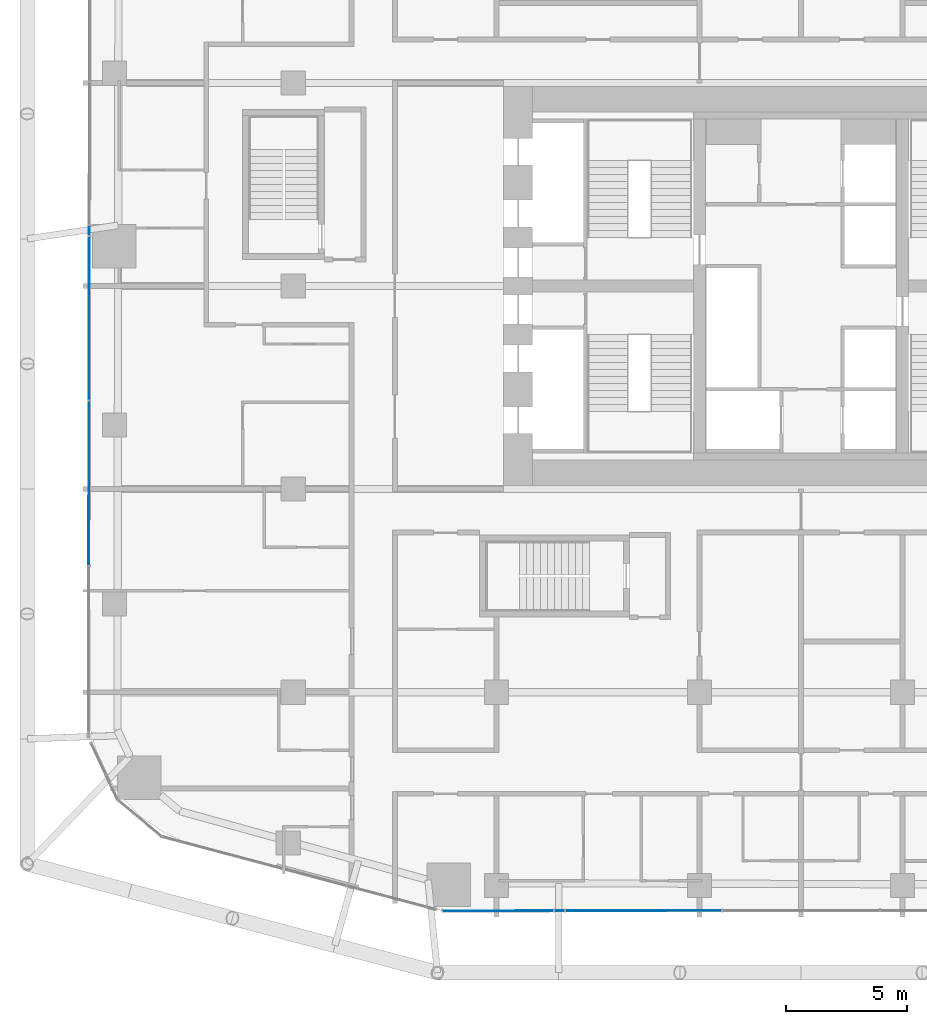
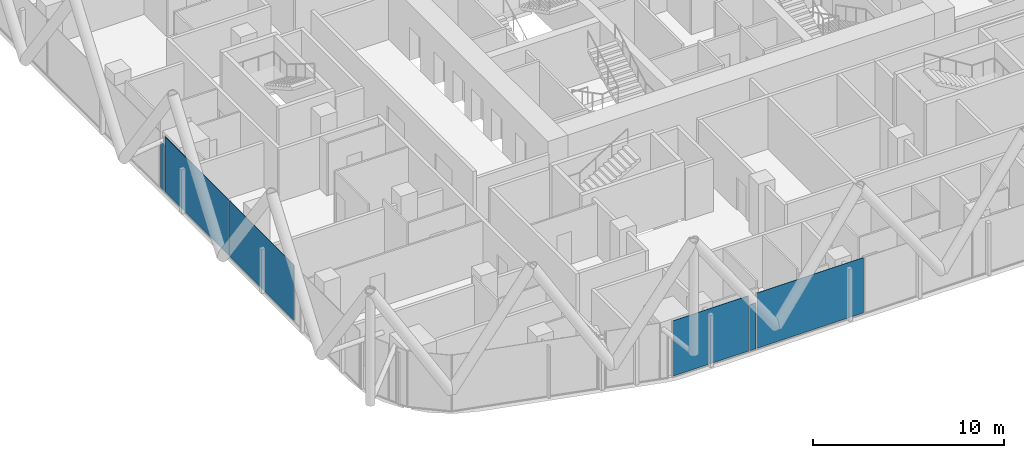
# One storey, part 20 of 38: 6 plates, 5 elements without a shape of their own.
"""IFC4 building model written with IfcOpenShell, lengths in metres."""

from ifc_helpers import new_model, si_unit, direction, frame, origin, origin_2d, place, context, subcontext, project, spatial, rectangle, extrude, material, layer, layer_set, type_object, element, aggregate, save


model = new_model("IFC4")

# Units and contexts
model_context = context("Model", 3, precision=1e-05, world=origin(), true_north=direction((0.0, 1.0)))
body_context = subcontext(model_context, "Body", "Model", "MODEL_VIEW")
ifc_project = project(units=[si_unit("LENGTHUNIT", "METRE"), si_unit("AREAUNIT", "SQUARE_METRE"), si_unit("VOLUMEUNIT", "CUBIC_METRE"), si_unit("PLANEANGLEUNIT", "RADIAN"), si_unit("MASSUNIT", "GRAM", prefix="KILO")], contexts=[model_context])

# Site, building, storey
site_placement = place(None, origin())
site = spatial("IfcSite", under=ifc_project, at=site_placement, CompositionType="ELEMENT")
building_placement = place(site_placement, origin())
building = spatial("IfcBuilding", under=site, at=building_placement, Name="Marenta Gate Hotel Tower", CompositionType="ELEMENT")
storey_placement = place(building_placement, frame((0.0, 0.0, 68.89990234375)))
storey = spatial("IfcBuildingStorey", under=building, at=storey_placement, Name="L15", CompositionType="ELEMENT", Elevation=68.89990234375)

# Curtain wall, plate
ifc_material_1 = material(Name="Tinted insulated glass in bronze anodised frame", Category="glass")
ifc_layer_1 = layer(ifc_material_1, 0.1201171875)
ifc_layer_set_1 = layer_set([ifc_layer_1], Name="Tinted insulated glass in bronze anodised frame")
curtain_wall_type = type_object("IfcCurtainWallType", Name="Tower unitised curtain wall CW1", PredefinedType="NOTDEFINED", material=ifc_layer_set_1)
curtain_wall_1_placement = place(storey_placement, origin())
curtain_wall_1 = element("IfcCurtainWall", 1, at=curtain_wall_1_placement, inside=storey, type_object=curtain_wall_type, Name="CW1 run G07", PredefinedType="NOTDEFINED")
ifc_material_2 = material(Name="Tinted insulated glass", Category="glass")
ifc_layer_2 = layer(ifc_material_2, 0.028076171875)
ifc_layer_set_2 = layer_set([ifc_layer_2], Name="Tinted insulated glass")
plate_type = type_object("IfcPlateType", Name="Glass panel CW1 28 mm tinted insulated unit", PredefinedType="CURTAIN_PANEL", material=ifc_layer_set_2)
plate_1_placement = place(storey_placement, frame((-29.4404296875, 10.701904296875, 0.060302734375), z_axis=(0.0, 0.0, 1.0), x_axis=(-0.001528048866, -0.999998832533, 0.0)))
plate_1 = element("IfcPlate", 2, at=plate_1_placement, type_object=plate_type, Name="CW1 panel 1.1", PredefinedType="CURTAIN_PANEL", context=body_context, shape_type="SweptSolid", body=[
    extrude(rectangle(XDim=0.398193359375, YDim=0.028076171875, at=origin_2d()), origin(), (0.0, 0.0, 1.0), 2.9404296875),
])
aggregate(curtain_wall_1, [plate_1])

# Curtain wall, plates
curtain_wall_2_placement = place(storey_placement, origin())
curtain_wall_2 = element("IfcCurtainWall", 3, at=curtain_wall_2_placement, inside=storey, type_object=curtain_wall_type, Name="CW1 run G08", PredefinedType="NOTDEFINED")
plate_2_placement = place(storey_placement, frame((-29.4462890625, 7.068359375, 0.06005859375), z_axis=(0.0, 0.0, 1.0), x_axis=(-0.00156461532, -0.999998775989, 0.0)))
plate_2 = element("IfcPlate", 4, at=plate_2_placement, type_object=plate_type, Name="CW1 panel 1.1", PredefinedType="CURTAIN_PANEL", context=body_context, shape_type="SweptSolid", body=[
    extrude(rectangle(XDim=6.748779296875, YDim=0.028076171875, at=origin_2d()), origin(), (0.0, 0.0, 1.0), 3.5400390625),
])
plate_3_placement = place(storey_placement, frame((-29.456787109375, 0.24462890625, 0.06005859375), z_axis=(0.0, 0.0, 1.0), x_axis=(-0.00156461532, -0.999998775989, 0.0)))
plate_3 = element("IfcPlate", 5, at=plate_3_placement, type_object=plate_type, Name="CW1 panel 2.1", PredefinedType="CURTAIN_PANEL", context=body_context, shape_type="SweptSolid", body=[
    extrude(rectangle(XDim=6.77880859375, YDim=0.028076171875, at=origin_2d()), origin(), (0.0, 0.0, 1.0), 3.5400390625),
])
aggregate(curtain_wall_2, [plate_2, plate_3])

# Curtain wall, plate
curtain_wall_3_placement = place(storey_placement, origin())
curtain_wall_3 = element("IfcCurtainWall", 6, at=curtain_wall_3_placement, inside=storey, type_object=curtain_wall_type, Name="CW1 run G18", PredefinedType="NOTDEFINED")
plate_4_placement = place(storey_placement, frame((-12.528076171875, -17.445068359375, 0.06005859375), z_axis=(0.0, 0.0, 1.0), x_axis=(0.999999318423, 0.001167541525, 0.0)))
plate_4 = element("IfcPlate", 7, at=plate_4_placement, type_object=plate_type, Name="CW1 panel 1.1", PredefinedType="CURTAIN_PANEL", context=body_context, shape_type="SweptSolid", body=[
    extrude(rectangle(XDim=4.565185546875, YDim=0.028076171875, at=origin_2d()), origin(), (0.0, 0.0, 1.0), 3.5400390625),
])
aggregate(curtain_wall_3, [plate_4])

curtain_wall_4_placement = place(storey_placement, origin())
curtain_wall_4 = element("IfcCurtainWall", 8, at=curtain_wall_4_placement, inside=storey, type_object=curtain_wall_type, Name="CW1 run G19", PredefinedType="NOTDEFINED")
plate_5_placement = place(storey_placement, frame((-9.989013671875, -17.442138671875, 0.060302734375), z_axis=(0.0, 0.0, 1.0), x_axis=(0.999999390865, 0.001103752086, 0.0)))
plate_5 = element("IfcPlate", 9, at=plate_5_placement, type_object=plate_type, Name="CW1 panel 1.1", PredefinedType="CURTAIN_PANEL", context=body_context, shape_type="SweptSolid", body=[
    extrude(rectangle(XDim=0.39306640625, YDim=0.028076171875, at=origin_2d()), origin(), (0.0, 0.0, 1.0), 2.9404296875),
])
aggregate(curtain_wall_4, [plate_5])

curtain_wall_5_placement = place(storey_placement, origin())
curtain_wall_5 = element("IfcCurtainWall", 10, at=curtain_wall_5_placement, inside=storey, type_object=curtain_wall_type, Name="CW1 run G20", PredefinedType="NOTDEFINED")
plate_6_placement = place(storey_placement, frame((-6.510986328125, -17.43798828125, 0.06005859375), z_axis=(0.0, 0.0, 1.0), x_axis=(0.999999323345, 0.001163317936, 0.0)))
plate_6 = element("IfcPlate", 11, at=plate_6_placement, type_object=plate_type, Name="CW1 panel 1.1", PredefinedType="CURTAIN_PANEL", context=body_context, shape_type="SweptSolid", body=[
    extrude(rectangle(XDim=6.443115234375, YDim=0.028076171875, at=origin_2d()), origin(), (0.0, 0.0, 1.0), 3.5400390625),
])
aggregate(curtain_wall_5, [plate_6])

save(model, "model.ifc")
